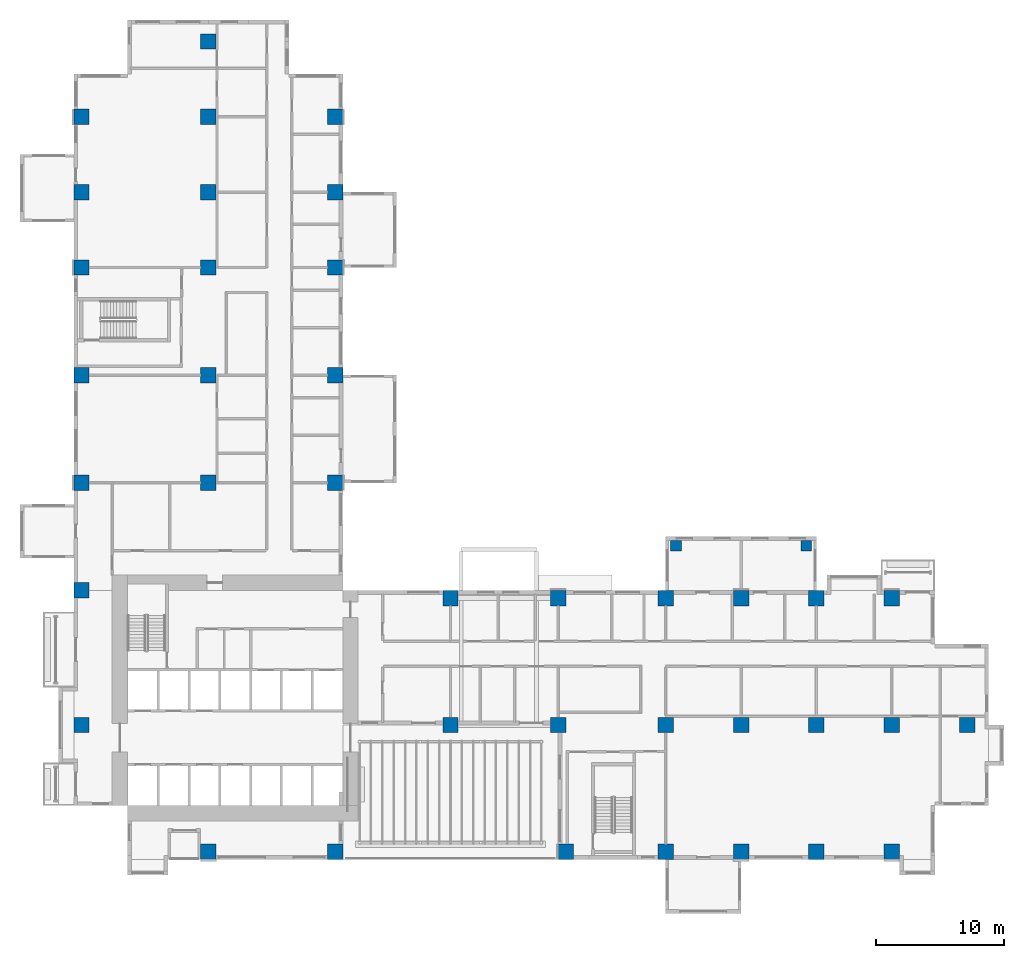
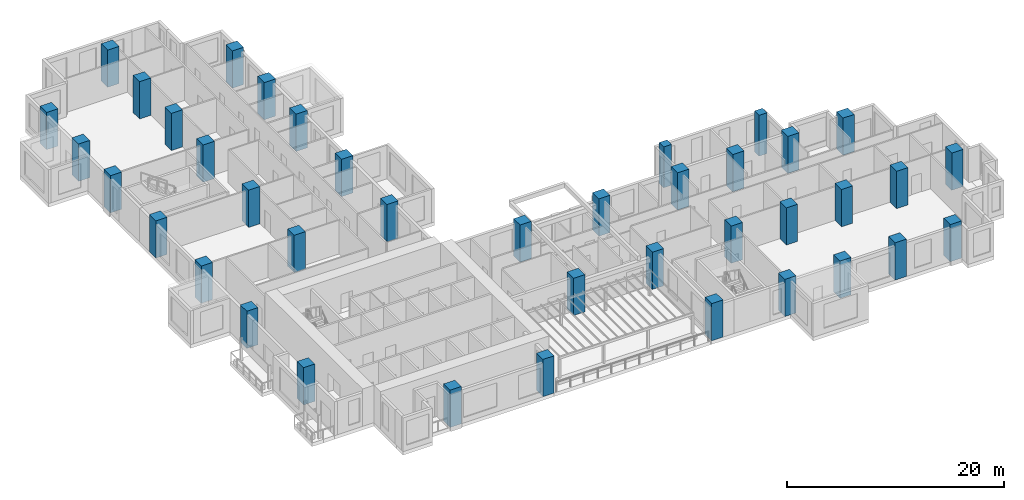
# One storey, part 1 of 17: 40 columns.
"""IFC4 building model written with IfcOpenShell, lengths in metres."""

from ifc_helpers import new_model, si_unit, direction, frame, origin, origin_2d, place, context, subcontext, project, spatial, rectangle, extrude, source, transform, mapped, material, material_profile, profile_set, type_object, element, save


model = new_model("IFC4")

# Units and contexts
model_context = context("Model", 3, precision=1e-05, world=origin(), true_north=direction((0.0, 1.0)))
body_context = subcontext(model_context, "Body", "Model", "MODEL_VIEW")
ifc_project = project(units=[si_unit("LENGTHUNIT", "METRE"), si_unit("AREAUNIT", "SQUARE_METRE"), si_unit("VOLUMEUNIT", "CUBIC_METRE"), si_unit("PLANEANGLEUNIT", "RADIAN"), si_unit("MASSUNIT", "GRAM", prefix="KILO")], contexts=[model_context])

# Site, building, storey
site_placement = place(None, origin())
site = spatial("IfcSite", under=ifc_project, at=site_placement, CompositionType="ELEMENT")
building_placement = place(site_placement, origin())
building = spatial("IfcBuilding", under=site, at=building_placement, Name="Aurelian Terraces", CompositionType="ELEMENT")
storey_placement = place(building_placement, frame((0.0, 0.0, 48.9)))
storey = spatial("IfcBuildingStorey", under=building, at=storey_placement, Name="L09", CompositionType="ELEMENT", Elevation=48.9)

# Columns
ifc_material_1 = material(Name="Concrete fc' 55 MPa", Category="concrete")
ifc_material_profile_1 = material_profile(ifc_material_1, rectangle(XDim=0.84, YDim=0.84, at=origin_2d()))
ifc_profile_set_1 = profile_set([ifc_material_profile_1], Name="Concrete fc' 55 MPa")
column_type_1 = type_object("IfcColumnType", Name="BLOCK CORNER PIER 840X840", PredefinedType="COLUMN", material=ifc_profile_set_1)
column_1_placement = place(storey_placement, frame((47.0, 24.48, -0.4), z_axis=(0.0, 0.0, 1.0), x_axis=(1.0, 0.0, 0.0)))
element("IfcColumn", 1, at=column_1_placement, inside=storey, type_object=column_type_1, Name="Block pier K01.1 L09", PredefinedType="COLUMN", context=body_context, shape_type="SweptSolid", body=[
    extrude(rectangle(XDim=0.84, YDim=0.84, at=origin_2d()), origin(), (0.0, 0.0, 1.0), 4.6),
])
ifc_material_2 = material(Name="Concrete fc' 83 MPa", Category="concrete")
ifc_material_profile_2 = material_profile(ifc_material_2, rectangle(XDim=1.2, YDim=1.2, at=origin_2d()))
ifc_profile_set_2 = profile_set([ifc_material_profile_2], Name="Concrete fc' 83 MPa")
column_type_2 = type_object("IfcColumnType", Name="RC COLUMN 1200X1200 FC83", PredefinedType="COLUMN", material=ifc_profile_set_2)
shared_shape_1 = source(origin(), body_context, "Body", "SweptSolid", [
    extrude(rectangle(XDim=1.2, YDim=1.2, at=origin_2d()), origin(), (0.0, 0.0, 1.0), 4.2),
])
for number, where, z_axis, x_axis, name in (
    (2, (10.5, 0.6, 0.0), (0.0, 0.0, 1.0), (1.0, 0.0, 0.0), "Column 2/A L09"),
    (3, (20.4, 0.6, 0.0), (0.0, 0.0, 1.0), (1.0, 0.0, 0.0), "Column 3/A L09"),
    (4, (38.4, 0.6, 0.0), (0.0, 0.0, 1.0), (1.0, 0.0, 0.0), "Column 5/A L09"),
    (5, (46.2, 0.6, 0.0), (0.0, 0.0, 1.0), (1.0, 0.0, 0.0), "Column 6/A L09"),
    (6, (52.08, 0.6, 0.0), (0.0, 0.0, 1.0), (1.0, 0.0, 0.0), "Column 7/A L09"),
    (7, (57.96, 0.6, 0.0), (0.0, 0.0, 1.0), (1.0, 0.0, 0.0), "Column 8/A L09"),
    (8, (63.84, 0.6, 0.0), (0.0, 0.0, 1.0), (1.0, 0.0, 0.0), "Column 9/A L09"),
    (9, (0.6, 10.5, 0.0), (0.0, 0.0, 1.0), (1.0, 0.0, 0.0), "Column 1/B L09"),
    (10, (29.4, 10.5, 0.0), (0.0, 0.0, 1.0), (1.0, 0.0, 0.0), "Column 4/B L09"),
    (11, (37.8, 10.5, 0.0), (0.0, 0.0, 1.0), (1.0, 0.0, 0.0), "Column 5/B L09"),
    (12, (46.2, 10.5, 0.0), (0.0, 0.0, 1.0), (1.0, 0.0, 0.0), "Column 6/B L09"),
    (13, (52.08, 10.5, 0.0), (0.0, 0.0, 1.0), (1.0, 0.0, 0.0), "Column 7/B L09"),
    (14, (57.96, 10.5, 0.0), (0.0, 0.0, 1.0), (1.0, 0.0, 0.0), "Column 8/B L09"),
    (15, (63.84, 10.5, 0.0), (0.0, 0.0, 1.0), (1.0, 0.0, 0.0), "Column 9/B L09"),
    (16, (69.72, 10.5, 0.0), (0.0, 0.0, 1.0), (1.0, 0.0, 0.0), "Column 10/B L09"),
    (17, (0.6, 21.0, 0.0), (0.0, 0.0, 1.0), (1.0, 0.0, 0.0), "Column 1/C L09"),
    (18, (29.4, 20.4, 0.0), (0.0, 0.0, 1.0), (1.0, 0.0, 0.0), "Column 4/C L09"),
    (19, (37.8, 20.4, 0.0), (0.0, 0.0, 1.0), (1.0, 0.0, 0.0), "Column 5/C L09"),
    (20, (46.2, 20.4, 0.0), (0.0, 0.0, 1.0), (1.0, 0.0, 0.0), "Column 6/C L09"),
    (21, (52.08, 20.4, 0.0), (0.0, 0.0, 1.0), (1.0, 0.0, 0.0), "Column 7/C L09"),
    (22, (57.96, 20.4, 0.0), (0.0, 0.0, 1.0), (1.0, 0.0, 0.0), "Column 8/C L09"),
    (23, (63.84, 20.4, 0.0), (0.0, 0.0, 1.0), (1.0, 0.0, 0.0), "Column 9/C L09"),
    (24, (0.6, 29.4, 0.0), (0.0, 0.0, 1.0), (1.0, 0.0, 0.0), "Column 1/D L09"),
    (25, (10.5, 29.4, 0.0), (0.0, 0.0, 1.0), (1.0, 0.0, 0.0), "Column 2/D L09"),
    (26, (20.4, 29.4, 0.0), (0.0, 0.0, 1.0), (1.0, 0.0, 0.0), "Column 3/D L09"),
    (27, (0.6, 37.8, 0.0), (0.0, 0.0, 1.0), (1.0, 0.0, 0.0), "Column 1/E L09"),
    (28, (10.5, 37.8, 0.0), (0.0, 0.0, 1.0), (1.0, 0.0, 0.0), "Column 2/E L09"),
    (29, (20.4, 37.8, 0.0), (0.0, 0.0, 1.0), (1.0, 0.0, 0.0), "Column 3/E L09"),
    (30, (0.6, 46.2, 0.0), (0.0, 0.0, 1.0), (1.0, 0.0, 0.0), "Column 1/F L09"),
    (31, (10.5, 46.2, 0.0), (0.0, 0.0, 1.0), (1.0, 0.0, 0.0), "Column 2/F L09"),
    (32, (20.4, 46.2, 0.0), (0.0, 0.0, 1.0), (1.0, 0.0, 0.0), "Column 3/F L09"),
    (33, (0.6, 52.08, 0.0), (0.0, 0.0, 1.0), (1.0, 0.0, 0.0), "Column 1/G L09"),
    (34, (10.5, 52.08, 0.0), (0.0, 0.0, 1.0), (1.0, 0.0, 0.0), "Column 2/G L09"),
    (35, (20.4, 52.08, 0.0), (0.0, 0.0, 1.0), (1.0, 0.0, 0.0), "Column 3/G L09"),
    (36, (0.6, 57.96, 0.0), (0.0, 0.0, 1.0), (1.0, 0.0, 0.0), "Column 1/H L09"),
    (37, (10.5, 57.96, 0.0), (0.0, 0.0, 1.0), (1.0, 0.0, 0.0), "Column 2/H L09"),
    (38, (20.4, 57.96, 0.0), (0.0, 0.0, 1.0), (1.0, 0.0, 0.0), "Column 3/H L09"),
    (39, (10.5, 63.84, 0.0), (0.0, 0.0, 1.0), (1.0, 0.0, 0.0), "Column 2/I L09"),
):
    element("IfcColumn", number, at=place(storey_placement, frame(where, z_axis=z_axis, x_axis=x_axis)), inside=storey, type_object=column_type_2, Name=name, PredefinedType="COLUMN", context=body_context, shape_type="MappedRepresentation", body=[
        mapped(shared_shape_1, transform((0.0, 0.0, 0.0), scale=1.0)),
    ])
shared_shape_2 = source(origin(), body_context, "Body", "SweptSolid", [
    extrude(rectangle(XDim=0.84, YDim=0.84, at=origin_2d()), origin(), (0.0, 0.0, 1.0), 4.6),
])
column_2_placement = place(storey_placement, frame((57.16, 24.48, -0.4), z_axis=(0.0, 0.0, 1.0), x_axis=(1.0, 0.0, 0.0)))
element("IfcColumn", 40, at=column_2_placement, inside=storey, type_object=column_type_1, Name="Block pier K01.2 L09", PredefinedType="COLUMN", context=body_context, shape_type="MappedRepresentation", body=[
    mapped(shared_shape_2, transform((0.0, 0.0, 0.0), scale=1.0)),
])

save(model, "model.ifc")
